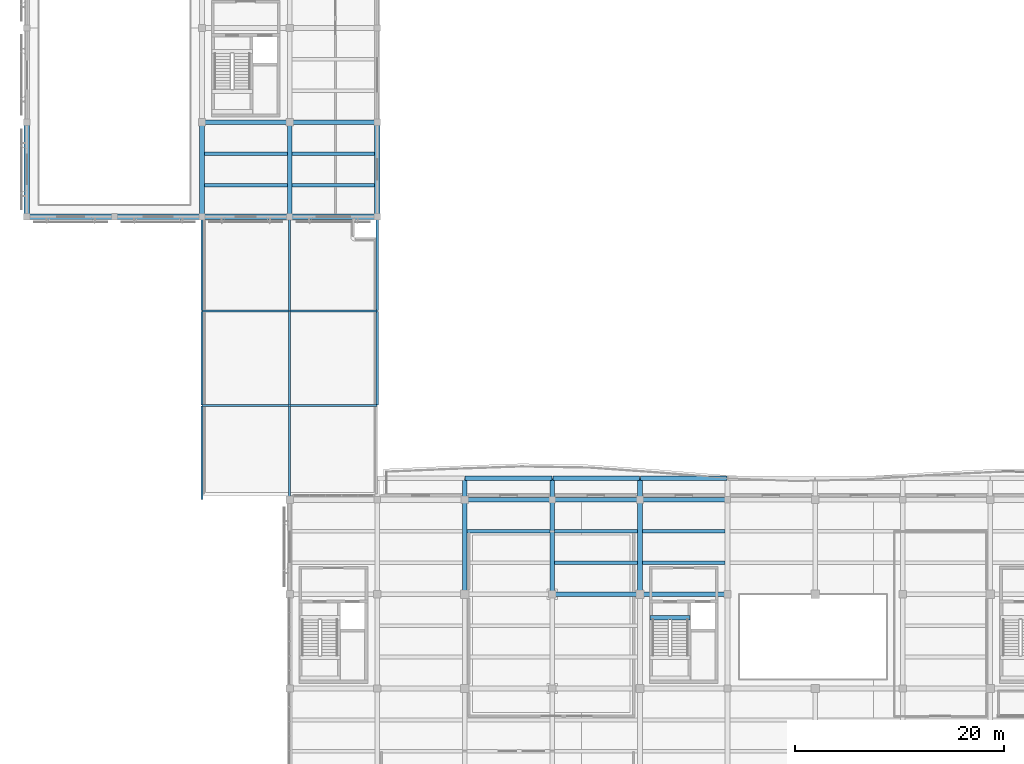
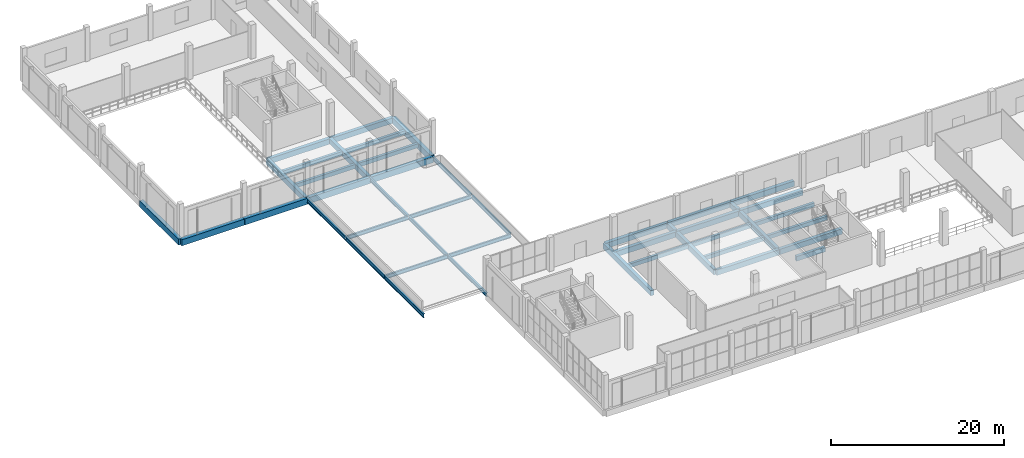
# One storey, part 12 of 80: 43 beams.
"""IFC4 building model written with IfcOpenShell, lengths in metres."""

from ifc_helpers import new_model, si_unit, direction, frame, origin, origin_2d, place, context, subcontext, project, spatial, rectangle, i_section, extrude, material, material_profile, profile_set, type_object, element, save


model = new_model("IFC4")

# Units and contexts
model_context = context("Model", 3, precision=1e-05, world=origin(), true_north=direction((0.0, 1.0)))
body_context = subcontext(model_context, "Body", "Model", "MODEL_VIEW")
ifc_project = project(units=[si_unit("LENGTHUNIT", "METRE"), si_unit("AREAUNIT", "SQUARE_METRE"), si_unit("VOLUMEUNIT", "CUBIC_METRE"), si_unit("PLANEANGLEUNIT", "RADIAN"), si_unit("MASSUNIT", "GRAM", prefix="KILO")], contexts=[model_context])

# Site, building, storey
site_placement = place(None, origin())
site = spatial("IfcSite", under=ifc_project, at=site_placement, CompositionType="ELEMENT")
building_placement = place(site_placement, origin())
building = spatial("IfcBuilding", under=site, at=building_placement, Name="Khurvash Pelagic Aquarium", CompositionType="ELEMENT")
storey_placement = place(building_placement, frame((0.0, 0.0, 10.800048828125)))
storey = spatial("IfcBuildingStorey", under=building, at=storey_placement, Name="L02", CompositionType="ELEMENT", Elevation=10.800048828125)

# Beams
ifc_material_1 = material(Name="Concrete C35/45", Category="concrete")
ifc_material_profile_1 = material_profile(ifc_material_1, rectangle(XDim=0.449951171875, YDim=0.75, at=origin_2d()), Name="RC450X750")
ifc_profile_set_1 = profile_set([ifc_material_profile_1], Name="Concrete C35/45")
beam_type_1 = type_object("IfcBeamType", Name="BM-04", PredefinedType="BEAM", material=ifc_profile_set_1)
beam_1_placement = place(storey_placement, frame((50.43994140625, 20.699951171875, -0.695068359375), z_axis=(1.0, 0.0, 0.0), x_axis=(0.0, 1.0, 0.0)))
element("IfcBeam", 1, at=beam_1_placement, inside=storey, type_object=beam_type_1, Name="L02 Primary Girder BM-04 00585", PredefinedType="BEAM", context=body_context, shape_type="SweptSolid", body=[
    extrude(rectangle(XDim=0.449951171875, YDim=0.75, at=origin_2d()), origin(), (0.0, 0.0, 1.0), 8.320068359375),
])
beam_2_placement = place(storey_placement, frame((58.840087890625, 20.699951171875, -0.695068359375), z_axis=(1.0, 0.0, 0.0), x_axis=(0.0, 1.0, 0.0)))
element("IfcBeam", 2, at=beam_2_placement, inside=storey, type_object=beam_type_1, Name="L02 Primary Girder BM-04 00586", PredefinedType="BEAM", context=body_context, shape_type="SweptSolid", body=[
    extrude(rectangle(XDim=0.449951171875, YDim=0.75, at=origin_2d()), origin(), (0.0, 0.0, 1.0), 8.31982421875),
])
for number, where, z_axis, x_axis, name in (
    (3, (42.0400390625, 29.75, -0.695068359375), (1.0, 0.0, 0.0), (0.0, 1.0, 0.0), "L02 Primary Girder BM-04 00593"),
    (4, (50.43994140625, 29.75, -0.695068359375), (1.0, 0.0, 0.0), (0.0, 1.0, 0.0), "L02 Primary Girder BM-04 00594"),
):
    element("IfcBeam", number, at=place(storey_placement, frame(where, z_axis=z_axis, x_axis=x_axis)), inside=storey, type_object=beam_type_1, Name=name, PredefinedType="BEAM", context=body_context, shape_type="SweptSolid", body=[
        extrude(rectangle(XDim=0.449951171875, YDim=0.75, at=origin_2d()), origin(), (0.0, 0.0, 1.0), 8.320068359375),
    ])
for number, where, z_axis, x_axis, name in (
    (5, (58.840087890625, 29.75, -0.695068359375), (1.0, 0.0, 0.0), (0.0, 1.0, 0.0), "L02 Primary Girder BM-04 00595"),
    (6, (16.840087890625, 65.949951171875, -0.695068359375), (1.0, 0.0, 0.0), (0.0, 1.0, 0.0), "L02 Primary Girder BM-04 00605"),
):
    element("IfcBeam", number, at=place(storey_placement, frame(where, z_axis=z_axis, x_axis=x_axis)), inside=storey, type_object=beam_type_1, Name=name, PredefinedType="BEAM", context=body_context, shape_type="SweptSolid", body=[
        extrude(rectangle(XDim=0.449951171875, YDim=0.75, at=origin_2d()), origin(), (0.0, 0.0, 1.0), 8.31982421875),
    ])
beam_3_placement = place(storey_placement, frame((25.239990234375, 65.949951171875, -0.695068359375), z_axis=(1.0, 0.0, 0.0), x_axis=(0.0, 1.0, 0.0)))
element("IfcBeam", 7, at=beam_3_placement, inside=storey, type_object=beam_type_1, Name="L02 Primary Girder BM-04 00606", PredefinedType="BEAM", context=body_context, shape_type="SweptSolid", body=[
    extrude(rectangle(XDim=0.449951171875, YDim=0.75, at=origin_2d()), origin(), (0.0, 0.0, 1.0), 8.320068359375),
])
for number, where, z_axis, x_axis, name in (
    (8, (16.800048828125, 56.93994140625, -0.675048828125), (0.0, 1.0, 0.0), (-1.0, 0.0, 0.0), "L02 Primary Girder BM-04 00654"),
    (9, (25.199951171875, 56.93994140625, -0.675048828125), (0.0, 1.0, 0.0), (-1.0, 0.0, 0.0), "L02 Primary Girder BM-04 00661"),
):
    element("IfcBeam", number, at=place(storey_placement, frame(where, z_axis=z_axis, x_axis=x_axis)), inside=storey, type_object=beam_type_1, Name=name, PredefinedType="BEAM", context=body_context, shape_type="SweptSolid", body=[
        extrude(rectangle(XDim=0.449951171875, YDim=0.75, at=origin_2d()), origin(), (0.0, 0.0, 1.0), 8.969970703125),
    ])
for number, where, z_axis, x_axis, name in (
    (10, (42.0, 20.739990234375, -0.695068359375), (0.0, 1.0, 0.0), (-1.0, 0.0, 0.0), "L02 Primary Girder BM-04 00675"),
    (11, (50.39990234375, 20.739990234375, -0.695068359375), (0.0, 1.0, 0.0), (-1.0, 0.0, 0.0), "L02 Primary Girder BM-04 00679"),
    (12, (58.800048828125, 20.739990234375, -0.695068359375), (0.0, 1.0, 0.0), (-1.0, 0.0, 0.0), "L02 Primary Girder BM-04 00683"),
):
    element("IfcBeam", number, at=place(storey_placement, frame(where, z_axis=z_axis, x_axis=x_axis)), inside=storey, type_object=beam_type_1, Name=name, PredefinedType="BEAM", context=body_context, shape_type="SweptSolid", body=[
        extrude(rectangle(XDim=0.449951171875, YDim=0.75, at=origin_2d()), origin(), (0.0, 0.0, 1.0), 11.06005859375),
    ])
for number, where, z_axis, x_axis, name in (
    (13, (42.0400390625, 31.800048828125, -0.695068359375), (1.0, 0.0, 0.0), (0.0, 1.0, 0.0), "L02 Terrace Edge Trimmer Beam BM-04"),
    (14, (50.43994140625, 31.800048828125, -0.695068359375), (1.0, 0.0, 0.0), (0.0, 1.0, 0.0), "L02 Terrace Edge Trimmer Beam BM-04"),
):
    element("IfcBeam", number, at=place(storey_placement, frame(where, z_axis=z_axis, x_axis=x_axis)), inside=storey, type_object=beam_type_1, Name=name, PredefinedType="BEAM", context=body_context, shape_type="SweptSolid", body=[
        extrude(rectangle(XDim=0.449951171875, YDim=0.75, at=origin_2d()), origin(), (0.0, 0.0, 1.0), 8.320068359375),
    ])
beam_4_placement = place(storey_placement, frame((58.840087890625, 31.800048828125, -0.695068359375), z_axis=(1.0, 0.0, 0.0), x_axis=(0.0, 1.0, 0.0)))
element("IfcBeam", 15, at=beam_4_placement, inside=storey, type_object=beam_type_1, Name="L02 Terrace Edge Trimmer Beam BM-04", PredefinedType="BEAM", context=body_context, shape_type="SweptSolid", body=[
    extrude(rectangle(XDim=0.449951171875, YDim=0.75, at=origin_2d()), origin(), (0.0, 0.0, 1.0), 8.31982421875),
])
ifc_material_profile_2 = material_profile(ifc_material_1, rectangle(XDim=0.39990234375, YDim=0.64990234375, at=origin_2d()), Name="RC400X650")
ifc_profile_set_2 = profile_set([ifc_material_profile_2], Name="Concrete C35/45")
beam_type_2 = type_object("IfcBeamType", Name="BM-05", PredefinedType="BEAM", material=ifc_profile_set_2)
beam_5_placement = place(storey_placement, frame((59.780029296875, 18.429931640625, -0.625), z_axis=(1.0, 0.0, 0.0), x_axis=(0.0, 1.0, 0.0)))
element("IfcBeam", 16, at=beam_5_placement, inside=storey, type_object=beam_type_2, Name="L02 Stair ST-02 Header Trimmer Beam BM-05", PredefinedType="BEAM", context=body_context, shape_type="SweptSolid", body=[
    extrude(rectangle(XDim=0.39990234375, YDim=0.64990234375, at=origin_2d()), origin(), (0.0, 0.0, 1.0), 3.840087890625),
])
ifc_material_2 = material(Name="Steel ASTM A992 Grade 50", Category="steel")
ifc_material_profile_3 = material_profile(ifc_material_2, i_section(OverallWidth=0.214111328125, OverallDepth=0.549072265625, WebThickness=0.0146484375, FlangeThickness=0.023681640625, at=origin_2d()), Name="W21X93")
ifc_profile_set_3 = profile_set([ifc_material_profile_3], Name="Steel ASTM A992 Grade 50")
beam_type_3 = type_object("IfcBeamType", Name="BM-11", PredefinedType="BEAM", material=ifc_profile_set_3)
beam_6_placement = place(storey_placement, frame((16.840087890625, 38.800048828125, -0.594482421875), z_axis=(1.0, 0.0, 0.0), x_axis=(0.0, 1.0, 0.0)))
element("IfcBeam", 17, at=beam_6_placement, inside=storey, type_object=beam_type_3, Name="L02 Roof Girder BM-11 01224", PredefinedType="BEAM", context=body_context, shape_type="SweptSolid", body=[
    extrude(i_section(OverallWidth=0.214111328125, OverallDepth=0.549072265625, WebThickness=0.0146484375, FlangeThickness=0.023681640625, at=origin_2d()), origin(), (0.0, 0.0, 1.0), 8.31982421875),
])
beam_7_placement = place(storey_placement, frame((25.239990234375, 38.800048828125, -0.594482421875), z_axis=(1.0, 0.0, 0.0), x_axis=(0.0, 1.0, 0.0)))
element("IfcBeam", 18, at=beam_7_placement, inside=storey, type_object=beam_type_3, Name="L02 Roof Girder BM-11 01225", PredefinedType="BEAM", context=body_context, shape_type="SweptSolid", body=[
    extrude(i_section(OverallWidth=0.214111328125, OverallDepth=0.549072265625, WebThickness=0.0146484375, FlangeThickness=0.023681640625, at=origin_2d()), origin(), (0.0, 0.0, 1.0), 8.320068359375),
])
beam_8_placement = place(storey_placement, frame((16.840087890625, 47.85009765625, -0.594482421875), z_axis=(1.0, 0.0, 0.0), x_axis=(0.0, 1.0, 0.0)))
element("IfcBeam", 19, at=beam_8_placement, inside=storey, type_object=beam_type_3, Name="L02 Roof Girder BM-11 01226", PredefinedType="BEAM", context=body_context, shape_type="SweptSolid", body=[
    extrude(i_section(OverallWidth=0.214111328125, OverallDepth=0.549072265625, WebThickness=0.0146484375, FlangeThickness=0.023681640625, at=origin_2d()), origin(), (0.0, 0.0, 1.0), 8.31982421875),
])
beam_9_placement = place(storey_placement, frame((25.239990234375, 47.85009765625, -0.594482421875), z_axis=(1.0, 0.0, 0.0), x_axis=(0.0, 1.0, 0.0)))
element("IfcBeam", 20, at=beam_9_placement, inside=storey, type_object=beam_type_3, Name="L02 Roof Girder BM-11 01227", PredefinedType="BEAM", context=body_context, shape_type="SweptSolid", body=[
    extrude(i_section(OverallWidth=0.214111328125, OverallDepth=0.549072265625, WebThickness=0.0146484375, FlangeThickness=0.023681640625, at=origin_2d()), origin(), (0.0, 0.0, 1.0), 8.320068359375),
])
for number, where, z_axis, x_axis, name in (
    (21, (16.800048828125, 29.7900390625, -0.594482421875), (0.0, 1.0, 0.0), (-1.0, 0.0, 0.0), "L02 Roof Girder BM-11 01228"),
    (22, (16.800048828125, 38.840087890625, -0.594482421875), (0.0, 1.0, 0.0), (-1.0, 0.0, 0.0), "L02 Roof Girder BM-11 01229"),
):
    element("IfcBeam", number, at=place(storey_placement, frame(where, z_axis=z_axis, x_axis=x_axis)), inside=storey, type_object=beam_type_3, Name=name, PredefinedType="BEAM", context=body_context, shape_type="SweptSolid", body=[
        extrude(i_section(OverallWidth=0.214111328125, OverallDepth=0.549072265625, WebThickness=0.0146484375, FlangeThickness=0.023681640625, at=origin_2d()), origin(), (0.0, 0.0, 1.0), 8.969970703125),
    ])
beam_10_placement = place(storey_placement, frame((16.800048828125, 47.889892578125, -0.594482421875), z_axis=(0.0, 1.0, 0.0), x_axis=(-1.0, 0.0, 0.0)))
element("IfcBeam", 23, at=beam_10_placement, inside=storey, type_object=beam_type_3, Name="L02 Roof Girder BM-11 01230", PredefinedType="BEAM", context=body_context, shape_type="SweptSolid", body=[
    extrude(i_section(OverallWidth=0.214111328125, OverallDepth=0.549072265625, WebThickness=0.0146484375, FlangeThickness=0.023681640625, at=origin_2d()), origin(), (0.0, 0.0, 1.0), 8.97021484375),
])
for number, where, z_axis, x_axis, name in (
    (24, (25.199951171875, 29.7900390625, -0.594482421875), (0.0, 1.0, 0.0), (-1.0, 0.0, 0.0), "L02 Roof Girder BM-11 01231"),
    (25, (25.199951171875, 38.840087890625, -0.594482421875), (0.0, 1.0, 0.0), (-1.0, 0.0, 0.0), "L02 Roof Girder BM-11 01232"),
):
    element("IfcBeam", number, at=place(storey_placement, frame(where, z_axis=z_axis, x_axis=x_axis)), inside=storey, type_object=beam_type_3, Name=name, PredefinedType="BEAM", context=body_context, shape_type="SweptSolid", body=[
        extrude(i_section(OverallWidth=0.214111328125, OverallDepth=0.549072265625, WebThickness=0.0146484375, FlangeThickness=0.023681640625, at=origin_2d()), origin(), (0.0, 0.0, 1.0), 8.969970703125),
    ])
beam_11_placement = place(storey_placement, frame((25.199951171875, 47.889892578125, -0.594482421875), z_axis=(0.0, 1.0, 0.0), x_axis=(-1.0, 0.0, 0.0)))
element("IfcBeam", 26, at=beam_11_placement, inside=storey, type_object=beam_type_3, Name="L02 Roof Girder BM-11 01233", PredefinedType="BEAM", context=body_context, shape_type="SweptSolid", body=[
    extrude(i_section(OverallWidth=0.214111328125, OverallDepth=0.549072265625, WebThickness=0.0146484375, FlangeThickness=0.023681640625, at=origin_2d()), origin(), (0.0, 0.0, 1.0), 8.97021484375),
])
beam_12_placement = place(storey_placement, frame((33.60009765625, 38.840087890625, -0.594482421875), z_axis=(0.0, 1.0, 0.0), x_axis=(-1.0, 0.0, 0.0)))
element("IfcBeam", 27, at=beam_12_placement, inside=storey, type_object=beam_type_3, Name="L02 Roof Girder BM-11 01234", PredefinedType="BEAM", context=body_context, shape_type="SweptSolid", body=[
    extrude(i_section(OverallWidth=0.214111328125, OverallDepth=0.549072265625, WebThickness=0.0146484375, FlangeThickness=0.023681640625, at=origin_2d()), origin(), (0.0, 0.0, 1.0), 8.969970703125),
])
beam_13_placement = place(storey_placement, frame((33.60009765625, 47.889892578125, -0.594482421875), z_axis=(0.0, 1.0, 0.0), x_axis=(-1.0, 0.0, 0.0)))
element("IfcBeam", 28, at=beam_13_placement, inside=storey, type_object=beam_type_3, Name="L02 Roof Girder BM-11 01235", PredefinedType="BEAM", context=body_context, shape_type="SweptSolid", body=[
    extrude(i_section(OverallWidth=0.214111328125, OverallDepth=0.549072265625, WebThickness=0.0146484375, FlangeThickness=0.023681640625, at=origin_2d()), origin(), (0.0, 0.0, 1.0), 8.97021484375),
])
ifc_material_profile_4 = material_profile(ifc_material_1, rectangle(XDim=0.35009765625, YDim=0.550048828125, at=origin_2d()), Name="RC350X550")
ifc_profile_set_4 = profile_set([ifc_material_profile_4], Name="Concrete C35/45")
beam_type_4 = type_object("IfcBeamType", Name="JS-01", PredefinedType="JOIST", material=ifc_profile_set_4)
for number, where, z_axis, x_axis, name in (
    (29, (17.02490234375, 59.9169921875, -0.574951171875), (1.0, 0.0, 0.0), (0.0, 1.0, 0.0), "L02 Floor Joist JS-01 00731"),
    (30, (17.02490234375, 62.93310546875, -0.574951171875), (1.0, 0.0, 0.0), (0.0, 1.0, 0.0), "L02 Floor Joist JS-01 00732"),
):
    element("IfcBeam", number, at=place(storey_placement, frame(where, z_axis=z_axis, x_axis=x_axis)), inside=storey, type_object=beam_type_4, Name=name, PredefinedType="JOIST", context=body_context, shape_type="SweptSolid", body=[
        extrude(rectangle(XDim=0.35009765625, YDim=0.550048828125, at=origin_2d()), origin(), (0.0, 0.0, 1.0), 7.9501953125),
    ])
for number, where, z_axis, x_axis, name in (
    (31, (25.425048828125, 59.9169921875, -0.574951171875), (1.0, 0.0, 0.0), (0.0, 1.0, 0.0), "L02 Floor Joist JS-01 00741"),
    (32, (25.425048828125, 62.93310546875, -0.574951171875), (1.0, 0.0, 0.0), (0.0, 1.0, 0.0), "L02 Floor Joist JS-01 00742"),
):
    element("IfcBeam", number, at=place(storey_placement, frame(where, z_axis=z_axis, x_axis=x_axis)), inside=storey, type_object=beam_type_4, Name=name, PredefinedType="JOIST", context=body_context, shape_type="SweptSolid", body=[
        extrude(rectangle(XDim=0.35009765625, YDim=0.550048828125, at=origin_2d()), origin(), (0.0, 0.0, 1.0), 7.925048828125),
    ])
for number, where, z_axis, x_axis, name in (
    (33, (42.22509765625, 26.73291015625, -0.574951171875), (1.0, 0.0, 0.0), (0.0, 1.0, 0.0), "L02 Floor Joist JS-01 00762"),
    (34, (50.625, 23.717041015625, -0.574951171875), (1.0, 0.0, 0.0), (0.0, 1.0, 0.0), "L02 Floor Joist JS-01 00769"),
    (35, (50.625, 26.73291015625, -0.574951171875), (1.0, 0.0, 0.0), (0.0, 1.0, 0.0), "L02 Floor Joist JS-01 00770"),
):
    element("IfcBeam", number, at=place(storey_placement, frame(where, z_axis=z_axis, x_axis=x_axis)), inside=storey, type_object=beam_type_4, Name=name, PredefinedType="JOIST", context=body_context, shape_type="SweptSolid", body=[
        extrude(rectangle(XDim=0.35009765625, YDim=0.550048828125, at=origin_2d()), origin(), (0.0, 0.0, 1.0), 7.949951171875),
    ])
for number, where, z_axis, x_axis, name in (
    (36, (59.02490234375, 23.717041015625, -0.574951171875), (1.0, 0.0, 0.0), (0.0, 1.0, 0.0), "L02 Floor Joist JS-01 00775"),
    (37, (59.02490234375, 26.73291015625, -0.574951171875), (1.0, 0.0, 0.0), (0.0, 1.0, 0.0), "L02 Floor Joist JS-01 00776"),
):
    element("IfcBeam", number, at=place(storey_placement, frame(where, z_axis=z_axis, x_axis=x_axis)), inside=storey, type_object=beam_type_4, Name=name, PredefinedType="JOIST", context=body_context, shape_type="SweptSolid", body=[
        extrude(rectangle(XDim=0.35009765625, YDim=0.550048828125, at=origin_2d()), origin(), (0.0, 0.0, 1.0), 7.9501953125),
    ])
ifc_material_3 = material(Name="Concrete C40/50", Category="concrete")
ifc_material_profile_5 = material_profile(ifc_material_3, rectangle(XDim=0.5, YDim=0.85009765625, at=origin_2d()), Name="RC500X850")
ifc_profile_set_5 = profile_set([ifc_material_profile_5], Name="Concrete C40/50")
beam_type_5 = type_object("IfcBeamType", Name="SEB-03", PredefinedType="SPANDREL", material=ifc_profile_set_5)
for number, where, z_axis, x_axis, name in (
    (38, (0.0400390625, 56.89990234375, -0.7451171875), (1.0, 0.0, 0.0), (0.0, 1.0, 0.0), "L02 Primary Girder SEB-03 00601"),
    (39, (8.43994140625, 56.89990234375, -0.7451171875), (1.0, 0.0, 0.0), (0.0, 1.0, 0.0), "L02 Primary Girder SEB-03 00602"),
):
    element("IfcBeam", number, at=place(storey_placement, frame(where, z_axis=z_axis, x_axis=x_axis)), inside=storey, type_object=beam_type_5, Name=name, PredefinedType="SPANDREL", context=body_context, shape_type="SweptSolid", body=[
        extrude(rectangle(XDim=0.5, YDim=0.85009765625, at=origin_2d()), origin(), (0.0, 0.0, 1.0), 8.320068359375),
    ])
beam_14_placement = place(storey_placement, frame((16.840087890625, 56.89990234375, -0.7451171875), z_axis=(1.0, 0.0, 0.0), x_axis=(0.0, 1.0, 0.0)))
element("IfcBeam", 40, at=beam_14_placement, inside=storey, type_object=beam_type_5, Name="L02 Primary Girder SEB-03 00603", PredefinedType="SPANDREL", context=body_context, shape_type="SweptSolid", body=[
    extrude(rectangle(XDim=0.5, YDim=0.85009765625, at=origin_2d()), origin(), (0.0, 0.0, 1.0), 8.31982421875),
])
beam_15_placement = place(storey_placement, frame((25.239990234375, 56.89990234375, -0.7451171875), z_axis=(1.0, 0.0, 0.0), x_axis=(0.0, 1.0, 0.0)))
element("IfcBeam", 41, at=beam_15_placement, inside=storey, type_object=beam_type_5, Name="L02 Primary Girder SEB-03 00604", PredefinedType="SPANDREL", context=body_context, shape_type="SweptSolid", body=[
    extrude(rectangle(XDim=0.5, YDim=0.85009765625, at=origin_2d()), origin(), (0.0, 0.0, 1.0), 8.320068359375),
])
for number, where, z_axis, x_axis, name in (
    (42, (0.0, 56.93994140625, -0.72509765625), (0.0, 1.0, 0.0), (-1.0, 0.0, 0.0), "L02 Primary Girder SEB-03 00649"),
    (43, (33.60009765625, 56.93994140625, -0.72509765625), (0.0, 1.0, 0.0), (-1.0, 0.0, 0.0), "L02 Primary Girder SEB-03 00668"),
):
    element("IfcBeam", number, at=place(storey_placement, frame(where, z_axis=z_axis, x_axis=x_axis)), inside=storey, type_object=beam_type_5, Name=name, PredefinedType="SPANDREL", context=body_context, shape_type="SweptSolid", body=[
        extrude(rectangle(XDim=0.5, YDim=0.85009765625, at=origin_2d()), origin(), (0.0, 0.0, 1.0), 8.969970703125),
    ])

save(model, "model.ifc")
